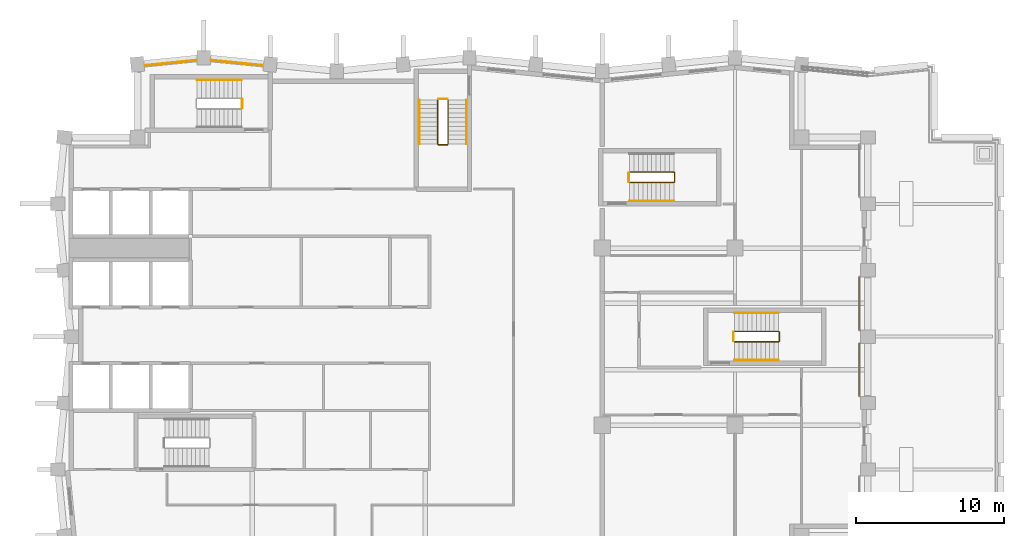
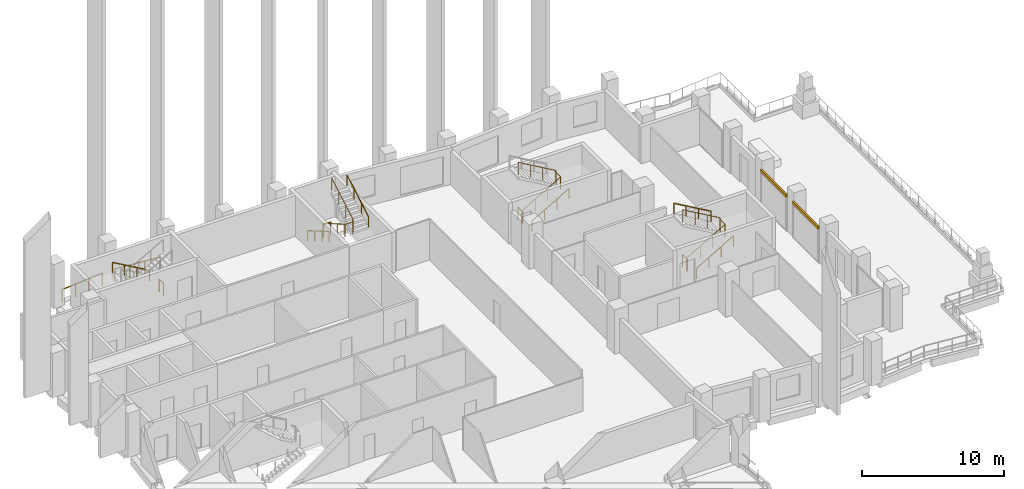
# One storey, part 18 of 19: 15 railings, 2 coverings.
"""IFC4 building model written with IfcOpenShell, lengths in metres."""

from ifc_helpers import new_model, si_unit, direction, frame, origin, origin_2d, place, context, subcontext, project, spatial, rectangle, circle, extrude, material, layer, layer_set, type_object, element, save


model = new_model("IFC4")

# Units and contexts
model_context = context("Model", 3, precision=1e-05, world=origin(), true_north=direction((0.0, 1.0)))
body_context = subcontext(model_context, "Body", "Model", "MODEL_VIEW")
ifc_project = project(units=[si_unit("LENGTHUNIT", "METRE"), si_unit("AREAUNIT", "SQUARE_METRE"), si_unit("VOLUMEUNIT", "CUBIC_METRE"), si_unit("PLANEANGLEUNIT", "RADIAN"), si_unit("MASSUNIT", "GRAM", prefix="KILO")], contexts=[model_context])

# Site, building, storey
site_placement = place(None, origin())
site = spatial("IfcSite", under=ifc_project, at=site_placement, CompositionType="ELEMENT")
building_placement = place(site_placement, origin())
building = spatial("IfcBuilding", under=site, at=building_placement, Name="Brondeck Convention Tower", CompositionType="ELEMENT")
storey_placement = place(building_placement, frame((0.0, 0.0, 198.800048828125)))
storey = spatial("IfcBuildingStorey", under=building, at=storey_placement, Name="L48", CompositionType="ELEMENT", Elevation=198.800048828125)

# Coverings
ifc_material_1 = material(Name="Aluminium, bronze anodised", Category="aluminium")
ifc_layer = layer(ifc_material_1, 0.10009765625)
ifc_layer_set = layer_set([ifc_layer], Name="Curtain wall spandrel panel, bronze anodised aluminium")
covering_type = type_object("IfcCoveringType", Name="Curtain wall spandrel panel, bronze anodised aluminium", PredefinedType="CLADDING", material=ifc_layer_set)
for number, where, z_axis, x_axis, name in (
    (1, (53.43994140625, 42.75, 2.89990234375), (0.0, 0.0, 1.0), (0.0, -1.0, 0.0), "ENV-CW6-L48-A-E54-03-SP"),
    (2, (53.43994140625, 47.25, 2.89990234375), (0.0, 0.0, 1.0), (0.0, -1.0, 0.0), "ENV-CW6-L48-A-E54-04-SP"),
):
    element("IfcCovering", number, at=place(storey_placement, frame(where, z_axis=z_axis, x_axis=x_axis)), inside=storey, type_object=covering_type, Name=name, PredefinedType="CLADDING", context=body_context, shape_type="SweptSolid", body=[
        extrude(rectangle(XDim=3.60009765625, YDim=0.1201171875, at=origin_2d()), origin(), (0.0, 0.0, 1.0), 0.25),
    ])

# Railings
ifc_material_2 = material(Name="Steel S355, bronze painted", Category="steel")
railing_type_1 = type_object("IfcRailingType", Name="Guard, bronze steel rail and posts", PredefinedType="GUARDRAIL", material=ifc_material_2)
railing_1_placement = place(storey_placement, frame((5.029296875, 63.38232421875, 0.0)))
element("IfcRailing", 3, at=railing_1_placement, inside=storey, type_object=railing_type_1, Name="ENV-RL-L48-REAR1", PredefinedType="GUARDRAIL", context=body_context, shape_type="SweptSolid", body=[
    extrude(circle(Radius=0.02490234375, at=origin_2d()), frame((0.0, 0.0, 1.0751953125), z_axis=(0.995032330105, 0.099552308092, 0.0), x_axis=(-0.099552308092, 0.995032330105, 0.0)), (0.0, 0.0, 1.0), 3.482421875),
    extrude(circle(Radius=0.02490234375, at=origin_2d()), origin(), (0.0, 0.0, 1.0), 1.050048828125),
    extrude(circle(Radius=0.02490234375, at=origin_2d()), frame((1.155029296875, 0.115478515625, 0.0)), (0.0, 0.0, 1.0), 1.050048828125),
    extrude(circle(Radius=0.02490234375, at=origin_2d()), frame((2.31005859375, 0.231201171875, 0.0)), (0.0, 0.0, 1.0), 1.050048828125),
    extrude(circle(Radius=0.02490234375, at=origin_2d()), frame((3.465087890625, 0.3466796875, 0.0)), (0.0, 0.0, 1.0), 1.050048828125),
])
railing_2_placement = place(storey_placement, frame((9.505615234375, 63.72900390625, 0.0)))
element("IfcRailing", 4, at=railing_2_placement, inside=storey, type_object=railing_type_1, Name="ENV-RL-L48-REAR2", PredefinedType="GUARDRAIL", context=body_context, shape_type="SweptSolid", body=[
    extrude(circle(Radius=0.02490234375, at=origin_2d()), frame((0.0, 0.0, 1.0751953125), z_axis=(0.995032330105, -0.099552308092, 0.0), x_axis=(0.099552308092, 0.995032330105, 0.0)), (0.0, 0.0, 1.0), 3.482421875),
    extrude(circle(Radius=0.02490234375, at=origin_2d()), origin(), (0.0, 0.0, 1.0), 1.050048828125),
    extrude(circle(Radius=0.02490234375, at=origin_2d()), frame((1.155029296875, -0.115478515625, 0.0)), (0.0, 0.0, 1.0), 1.050048828125),
    extrude(circle(Radius=0.02490234375, at=origin_2d()), frame((2.31005859375, -0.231201171875, 0.0)), (0.0, 0.0, 1.0), 1.050048828125),
    extrude(circle(Radius=0.02490234375, at=origin_2d()), frame((3.465087890625, -0.3466796875, 0.0)), (0.0, 0.0, 1.0), 1.050048828125),
])
ifc_material_3 = material(Name="Steel S355", Category="steel")
railing_type_2 = type_object("IfcRailingType", Name="Stair guard 1100", PredefinedType="GUARDRAIL", material=ifc_material_3)
railing_3_placement = place(storey_placement, frame((24.85009765625, 61.050048828125, 0.172607421875)))
element("IfcRailing", 5, at=railing_3_placement, inside=storey, type_object=railing_type_2, Name="L48 ST-2 stair guard 1", PredefinedType="GUARDRAIL", context=body_context, shape_type="SweptSolid", body=[
    extrude(circle(Radius=0.02392578125, at=origin_2d()), frame((0.0, 0.0, 1.076171875), z_axis=(0.0, -0.866619684472, 0.498969260062), x_axis=(1.0, 0.0, 0.0)), (0.0, 0.0, 1.0), 3.461669921875),
    extrude(circle(Radius=0.02392578125, at=origin_2d()), frame((0.0, -3.0, 2.80322265625), z_axis=(0.705375805398, -0.708833529934, 0.0), x_axis=(0.708833529934, 0.705375805398, 0.0)), (0.0, 0.0, 1.0), 0.070556640625),
    extrude(circle(Radius=0.02392578125, at=origin_2d()), frame((0.0498046875, -3.050048828125, 2.80322265625), z_axis=(1.0, 0.0, 0.0), x_axis=(0.0, 1.0, 0.0)), (0.0, 0.0, 1.0), 0.60009765625),
    extrude(circle(Radius=0.02392578125, at=origin_2d()), frame((0.64990234375, -3.050048828125, 2.80322265625), z_axis=(0.267953482034, 0.267953482034, 0.925419830635), x_axis=(-0.707106781187, 0.707106781187, 0.0)), (0.0, 0.0, 1.0), 0.186767578125),
    extrude(circle(Radius=0.02392578125, at=origin_2d()), frame((0.699951171875, -3.0, 2.97607421875), z_axis=(0.0, 0.866619684472, 0.498969260062), x_axis=(-1.0, 0.0, 0.0)), (0.0, 0.0, 1.0), 3.461669921875),
    extrude(circle(Radius=0.02099609375, at=origin_2d()), origin(), (0.0, 0.0, 1.0), 1.052001953125),
    extrude(circle(Radius=0.02099609375, at=origin_2d()), frame((0.0, -1.0, 0.57568359375)), (0.0, 0.0, 1.0), 1.052001953125),
    extrude(circle(Radius=0.02099609375, at=origin_2d()), frame((0.0, -2.0, 1.151611328125)), (0.0, 0.0, 1.0), 1.052001953125),
    extrude(circle(Radius=0.02099609375, at=origin_2d()), frame((0.0, -3.0, 1.727294921875)), (0.0, 0.0, 1.0), 1.052001953125),
    extrude(circle(Radius=0.02099609375, at=origin_2d()), frame((0.0498046875, -3.050048828125, 1.727294921875)), (0.0, 0.0, 1.0), 1.052001953125),
    extrude(circle(Radius=0.02099609375, at=origin_2d()), frame((0.64990234375, -3.050048828125, 1.727294921875)), (0.0, 0.0, 1.0), 1.052001953125),
    extrude(circle(Radius=0.02099609375, at=origin_2d()), frame((0.699951171875, -3.0, 1.900146484375)), (0.0, 0.0, 1.0), 1.052001953125),
    extrude(circle(Radius=0.02099609375, at=origin_2d()), frame((0.699951171875, -2.0, 2.475830078125)), (0.0, 0.0, 1.0), 1.052001953125),
    extrude(circle(Radius=0.02099609375, at=origin_2d()), frame((0.699951171875, -1.0, 3.0517578125)), (0.0, 0.0, 1.0), 1.052001953125),
    extrude(circle(Radius=0.02099609375, at=origin_2d()), frame((0.699951171875, 0.0, 3.62744140625)), (0.0, 0.0, 1.0), 1.052001953125),
])
railing_4_placement = place(storey_placement, frame((24.89990234375, 61.10009765625, 0.0)))
element("IfcRailing", 6, at=railing_4_placement, inside=storey, type_object=railing_type_2, Name="L48 ST-2 stair guard 2", PredefinedType="GUARDRAIL", context=body_context, shape_type="SweptSolid", body=[
    extrude(circle(Radius=0.02392578125, at=origin_2d()), frame((0.0, 0.0, 1.076171875), z_axis=(1.0, 0.0, 0.0), x_axis=(0.0, 1.0, 0.0)), (0.0, 0.0, 1.0), 0.60009765625),
    extrude(circle(Radius=0.02099609375, at=origin_2d()), origin(), (0.0, 0.0, 1.0), 1.052001953125),
    extrude(circle(Radius=0.02099609375, at=origin_2d()), frame((0.60009765625, 0.0, 0.0)), (0.0, 0.0, 1.0), 1.052001953125),
])
railing_5_placement = place(storey_placement, frame((11.60009765625, 61.10009765625, 0.0)))
element("IfcRailing", 7, at=railing_5_placement, inside=storey, type_object=railing_type_2, Name="L48 ST-3 stair guard 2", PredefinedType="GUARDRAIL", context=body_context, shape_type="SweptSolid", body=[
    extrude(circle(Radius=0.02392578125, at=origin_2d()), frame((0.0, 0.0, 1.076171875), z_axis=(0.0, -1.0, 0.0), x_axis=(1.0, 0.0, 0.0)), (0.0, 0.0, 1.0), 0.60009765625),
    extrude(circle(Radius=0.02099609375, at=origin_2d()), origin(), (0.0, 0.0, 1.0), 1.052001953125),
    extrude(circle(Radius=0.02099609375, at=origin_2d()), frame((0.0, -0.60009765625, 0.0)), (0.0, 0.0, 1.0), 1.052001953125),
])
railing_6_placement = place(storey_placement, frame((37.85009765625, 55.449951171875, 0.172607421875)))
element("IfcRailing", 8, at=railing_6_placement, inside=storey, type_object=railing_type_2, Name="L48 ST-AE stair guard 1", PredefinedType="GUARDRAIL", context=body_context, shape_type="SweptSolid", body=[
    extrude(circle(Radius=0.02392578125, at=origin_2d()), frame((0.0, 0.0, 1.076171875), z_axis=(0.866619684472, 0.0, 0.498969260062), x_axis=(0.0, 1.0, 0.0)), (0.0, 0.0, 1.0), 3.461669921875),
    extrude(circle(Radius=0.02392578125, at=origin_2d()), frame((3.0, 0.0, 2.80322265625), z_axis=(0.705375805398, 0.708833529934, 0.0), x_axis=(-0.708833529934, 0.705375805398, 0.0)), (0.0, 0.0, 1.0), 0.070556640625),
    extrude(circle(Radius=0.02392578125, at=origin_2d()), frame((3.0498046875, 0.050048828125, 2.80322265625), z_axis=(0.0, 1.0, 0.0), x_axis=(-1.0, 0.0, 0.0)), (0.0, 0.0, 1.0), 0.60009765625),
    extrude(circle(Radius=0.02392578125, at=origin_2d()), frame((3.0498046875, 0.650146484375, 2.80322265625), z_axis=(-0.266832911964, 0.266832911964, 0.926067165051), x_axis=(-0.707106781187, -0.707106781187, 0.0)), (0.0, 0.0, 1.0), 0.186767578125),
    extrude(circle(Radius=0.02392578125, at=origin_2d()), frame((3.0, 0.699951171875, 2.97607421875), z_axis=(-0.866619684472, 0.0, 0.498969260062), x_axis=(0.0, -1.0, 0.0)), (0.0, 0.0, 1.0), 3.461669921875),
    extrude(circle(Radius=0.02099609375, at=origin_2d()), origin(), (0.0, 0.0, 1.0), 1.052001953125),
    extrude(circle(Radius=0.02099609375, at=origin_2d()), frame((1.0, 0.0, 0.57568359375)), (0.0, 0.0, 1.0), 1.052001953125),
    extrude(circle(Radius=0.02099609375, at=origin_2d()), frame((2.0, 0.0, 1.151611328125)), (0.0, 0.0, 1.0), 1.052001953125),
    extrude(circle(Radius=0.02099609375, at=origin_2d()), frame((3.0, 0.0, 1.727294921875)), (0.0, 0.0, 1.0), 1.052001953125),
    extrude(circle(Radius=0.02099609375, at=origin_2d()), frame((3.0498046875, 0.050048828125, 1.727294921875)), (0.0, 0.0, 1.0), 1.052001953125),
    extrude(circle(Radius=0.02099609375, at=origin_2d()), frame((3.0498046875, 0.650146484375, 1.727294921875)), (0.0, 0.0, 1.0), 1.052001953125),
    extrude(circle(Radius=0.02099609375, at=origin_2d()), frame((3.0, 0.699951171875, 1.900146484375)), (0.0, 0.0, 1.0), 1.052001953125),
    extrude(circle(Radius=0.02099609375, at=origin_2d()), frame((2.0, 0.699951171875, 2.475830078125)), (0.0, 0.0, 1.0), 1.052001953125),
    extrude(circle(Radius=0.02099609375, at=origin_2d()), frame((1.0, 0.699951171875, 3.0517578125)), (0.0, 0.0, 1.0), 1.052001953125),
    extrude(circle(Radius=0.02099609375, at=origin_2d()), frame((0.0, 0.699951171875, 3.62744140625)), (0.0, 0.0, 1.0), 1.052001953125),
])
railing_7_placement = place(storey_placement, frame((37.800048828125, 55.5, 0.0)))
element("IfcRailing", 9, at=railing_7_placement, inside=storey, type_object=railing_type_2, Name="L48 ST-AE stair guard 2", PredefinedType="GUARDRAIL", context=body_context, shape_type="SweptSolid", body=[
    extrude(circle(Radius=0.02392578125, at=origin_2d()), frame((0.0, 0.0, 1.076171875), z_axis=(0.0, 1.0, 0.0), x_axis=(-1.0, 0.0, 0.0)), (0.0, 0.0, 1.0), 0.60009765625),
    extrude(circle(Radius=0.02099609375, at=origin_2d()), origin(), (0.0, 0.0, 1.0), 1.052001953125),
    extrude(circle(Radius=0.02099609375, at=origin_2d()), frame((0.0, 0.60009765625, 0.0)), (0.0, 0.0, 1.0), 1.052001953125),
])
railing_8_placement = place(storey_placement, frame((44.949951171875, 44.64990234375, 0.172607421875)))
element("IfcRailing", 10, at=railing_8_placement, inside=storey, type_object=railing_type_2, Name="L48 ST-AF stair guard 1", PredefinedType="GUARDRAIL", context=body_context, shape_type="SweptSolid", body=[
    extrude(circle(Radius=0.02392578125, at=origin_2d()), frame((0.0, 0.0, 1.076171875), z_axis=(0.866619684472, 0.0, 0.498969260062), x_axis=(0.0, 1.0, 0.0)), (0.0, 0.0, 1.0), 3.461669921875),
    extrude(circle(Radius=0.02392578125, at=origin_2d()), frame((3.0, 0.0, 2.80322265625), z_axis=(0.707106781187, 0.707106781187, 0.0), x_axis=(-0.707106781187, 0.707106781187, 0.0)), (0.0, 0.0, 1.0), 0.07080078125),
    extrude(circle(Radius=0.02392578125, at=origin_2d()), frame((3.050048828125, 0.050048828125, 2.80322265625), z_axis=(0.0, 1.0, 0.0), x_axis=(-1.0, 0.0, 0.0)), (0.0, 0.0, 1.0), 0.60009765625),
    extrude(circle(Radius=0.02392578125, at=origin_2d()), frame((3.050048828125, 0.650146484375, 2.80322265625), z_axis=(-0.267953482034, 0.267953482034, 0.925419830635), x_axis=(-0.707106781187, -0.707106781187, 0.0)), (0.0, 0.0, 1.0), 0.186767578125),
    extrude(circle(Radius=0.02392578125, at=origin_2d()), frame((3.0, 0.7001953125, 2.97607421875), z_axis=(-0.866619684472, 0.0, 0.498969260062), x_axis=(0.0, -1.0, 0.0)), (0.0, 0.0, 1.0), 3.461669921875),
    extrude(circle(Radius=0.02099609375, at=origin_2d()), origin(), (0.0, 0.0, 1.0), 1.052001953125),
    extrude(circle(Radius=0.02099609375, at=origin_2d()), frame((1.0, 0.0, 0.57568359375)), (0.0, 0.0, 1.0), 1.052001953125),
    extrude(circle(Radius=0.02099609375, at=origin_2d()), frame((2.0, 0.0, 1.151611328125)), (0.0, 0.0, 1.0), 1.052001953125),
    extrude(circle(Radius=0.02099609375, at=origin_2d()), frame((3.0, 0.0, 1.727294921875)), (0.0, 0.0, 1.0), 1.052001953125),
    extrude(circle(Radius=0.02099609375, at=origin_2d()), frame((3.050048828125, 0.050048828125, 1.727294921875)), (0.0, 0.0, 1.0), 1.052001953125),
    extrude(circle(Radius=0.02099609375, at=origin_2d()), frame((3.050048828125, 0.650146484375, 1.727294921875)), (0.0, 0.0, 1.0), 1.052001953125),
    extrude(circle(Radius=0.02099609375, at=origin_2d()), frame((3.0, 0.7001953125, 1.900146484375)), (0.0, 0.0, 1.0), 1.052001953125),
    extrude(circle(Radius=0.02099609375, at=origin_2d()), frame((2.0, 0.7001953125, 2.475830078125)), (0.0, 0.0, 1.0), 1.052001953125),
    extrude(circle(Radius=0.02099609375, at=origin_2d()), frame((1.0, 0.7001953125, 3.0517578125)), (0.0, 0.0, 1.0), 1.052001953125),
    extrude(circle(Radius=0.02099609375, at=origin_2d()), frame((0.0, 0.7001953125, 3.62744140625)), (0.0, 0.0, 1.0), 1.052001953125),
])
railing_9_placement = place(storey_placement, frame((44.89990234375, 44.699951171875, 0.0)))
element("IfcRailing", 11, at=railing_9_placement, inside=storey, type_object=railing_type_2, Name="L48 ST-AF stair guard 2", PredefinedType="GUARDRAIL", context=body_context, shape_type="SweptSolid", body=[
    extrude(circle(Radius=0.02392578125, at=origin_2d()), frame((0.0, 0.0, 1.076171875), z_axis=(0.0, 1.0, 0.0), x_axis=(-1.0, 0.0, 0.0)), (0.0, 0.0, 1.0), 0.60009765625),
    extrude(circle(Radius=0.02099609375, at=origin_2d()), origin(), (0.0, 0.0, 1.0), 1.052001953125),
    extrude(circle(Radius=0.02099609375, at=origin_2d()), frame((0.0, 0.60009765625, 0.0)), (0.0, 0.0, 1.0), 1.052001953125),
])
railing_type_3 = type_object("IfcRailingType", Name="Stair handrail", PredefinedType="HANDRAIL", material=ifc_material_3)
railing_10_placement = place(storey_placement, frame((23.60009765625, 61.050048828125, 0.172607421875)))
element("IfcRailing", 12, at=railing_10_placement, inside=storey, type_object=railing_type_3, Name="L48 ST-2 stair handrail 1", PredefinedType="HANDRAIL", context=body_context, shape_type="SweptSolid", body=[
    extrude(circle(Radius=0.02392578125, at=origin_2d()), frame((0.0, 0.0, 0.8759765625), z_axis=(0.0, -0.866619684472, 0.498969260062), x_axis=(1.0, 0.0, 0.0)), (0.0, 0.0, 1.0), 3.461669921875),
    extrude(circle(Radius=0.02099609375, at=origin_2d()), origin(), (0.0, 0.0, 1.0), 0.851806640625),
    extrude(circle(Radius=0.02099609375, at=origin_2d()), frame((0.0, -1.0, 0.57568359375)), (0.0, 0.0, 1.0), 0.851806640625),
    extrude(circle(Radius=0.02099609375, at=origin_2d()), frame((0.0, -2.0, 1.151611328125)), (0.0, 0.0, 1.0), 0.851806640625),
    extrude(circle(Radius=0.02099609375, at=origin_2d()), frame((0.0, -3.0, 1.727294921875)), (0.0, 0.0, 1.0), 0.851806640625),
])
railing_11_placement = place(storey_placement, frame((26.800048828125, 58.050048828125, 2.07275390625)))
element("IfcRailing", 13, at=railing_11_placement, inside=storey, type_object=railing_type_3, Name="L48 ST-2 stair handrail 2", PredefinedType="HANDRAIL", context=body_context, shape_type="SweptSolid", body=[
    extrude(circle(Radius=0.02392578125, at=origin_2d()), frame((0.0, 0.0, 0.8759765625), z_axis=(0.0, 0.866619684472, 0.498969260062), x_axis=(-1.0, 0.0, 0.0)), (0.0, 0.0, 1.0), 3.461669921875),
    extrude(circle(Radius=0.02099609375, at=origin_2d()), origin(), (0.0, 0.0, 1.0), 0.851806640625),
    extrude(circle(Radius=0.02099609375, at=origin_2d()), frame((0.0, 1.0, 0.57568359375)), (0.0, 0.0, 1.0), 0.851806640625),
    extrude(circle(Radius=0.02099609375, at=origin_2d()), frame((0.0, 2.0, 1.151611328125)), (0.0, 0.0, 1.0), 0.851806640625),
    extrude(circle(Radius=0.02099609375, at=origin_2d()), frame((0.0, 3.0, 1.727294921875)), (0.0, 0.0, 1.0), 0.851806640625),
])
railing_12_placement = place(storey_placement, frame((11.550048828125, 62.39990234375, 0.172607421875)))
element("IfcRailing", 14, at=railing_12_placement, inside=storey, type_object=railing_type_3, Name="L48 ST-3 stair handrail 1", PredefinedType="HANDRAIL", context=body_context, shape_type="SweptSolid", body=[
    extrude(circle(Radius=0.02392578125, at=origin_2d()), frame((0.0, 0.0, 0.8759765625), z_axis=(-0.866619684472, 0.0, 0.498969260062), x_axis=(0.0, -1.0, 0.0)), (0.0, 0.0, 1.0), 3.461669921875),
    extrude(circle(Radius=0.02099609375, at=origin_2d()), origin(), (0.0, 0.0, 1.0), 0.851806640625),
    extrude(circle(Radius=0.02099609375, at=origin_2d()), frame((-1.0, 0.0, 0.57568359375)), (0.0, 0.0, 1.0), 0.851806640625),
    extrude(circle(Radius=0.02099609375, at=origin_2d()), frame((-2.0, 0.0, 1.151611328125)), (0.0, 0.0, 1.0), 0.851806640625),
    extrude(circle(Radius=0.02099609375, at=origin_2d()), frame((-3.0, 0.0, 1.727294921875)), (0.0, 0.0, 1.0), 0.851806640625),
])
for number, where, name in (
    (15, (37.85009765625, 54.199951171875, 0.172607421875), "L48 ST-AE stair handrail 1"),
    (16, (44.949951171875, 43.39990234375, 0.172607421875), "L48 ST-AF stair handrail 1"),
):
    element("IfcRailing", number, at=place(storey_placement, frame(where)), inside=storey, type_object=railing_type_3, Name=name, PredefinedType="HANDRAIL", context=body_context, shape_type="SweptSolid", body=[
        extrude(circle(Radius=0.02392578125, at=origin_2d()), frame((0.0, 0.0, 0.8759765625), z_axis=(0.866619684472, 0.0, 0.498969260062), x_axis=(0.0, 1.0, 0.0)), (0.0, 0.0, 1.0), 3.461669921875),
        extrude(circle(Radius=0.02099609375, at=origin_2d()), origin(), (0.0, 0.0, 1.0), 0.851806640625),
        extrude(circle(Radius=0.02099609375, at=origin_2d()), frame((1.0, 0.0, 0.57568359375)), (0.0, 0.0, 1.0), 0.851806640625),
        extrude(circle(Radius=0.02099609375, at=origin_2d()), frame((2.0, 0.0, 1.151611328125)), (0.0, 0.0, 1.0), 0.851806640625),
        extrude(circle(Radius=0.02099609375, at=origin_2d()), frame((3.0, 0.0, 1.727294921875)), (0.0, 0.0, 1.0), 0.851806640625),
    ])
railing_13_placement = place(storey_placement, frame((47.949951171875, 46.60009765625, 2.07275390625)))
element("IfcRailing", 17, at=railing_13_placement, inside=storey, type_object=railing_type_3, Name="L48 ST-AF stair handrail 2", PredefinedType="HANDRAIL", context=body_context, shape_type="SweptSolid", body=[
    extrude(circle(Radius=0.02392578125, at=origin_2d()), frame((0.0, 0.0, 0.8759765625), z_axis=(-0.866619684472, 0.0, 0.498969260062), x_axis=(0.0, -1.0, 0.0)), (0.0, 0.0, 1.0), 3.461669921875),
    extrude(circle(Radius=0.02099609375, at=origin_2d()), origin(), (0.0, 0.0, 1.0), 0.851806640625),
    extrude(circle(Radius=0.02099609375, at=origin_2d()), frame((-1.0, 0.0, 0.57568359375)), (0.0, 0.0, 1.0), 0.851806640625),
    extrude(circle(Radius=0.02099609375, at=origin_2d()), frame((-2.0, 0.0, 1.151611328125)), (0.0, 0.0, 1.0), 0.851806640625),
    extrude(circle(Radius=0.02099609375, at=origin_2d()), frame((-3.0, 0.0, 1.727294921875)), (0.0, 0.0, 1.0), 0.851806640625),
])

save(model, "model.ifc")
